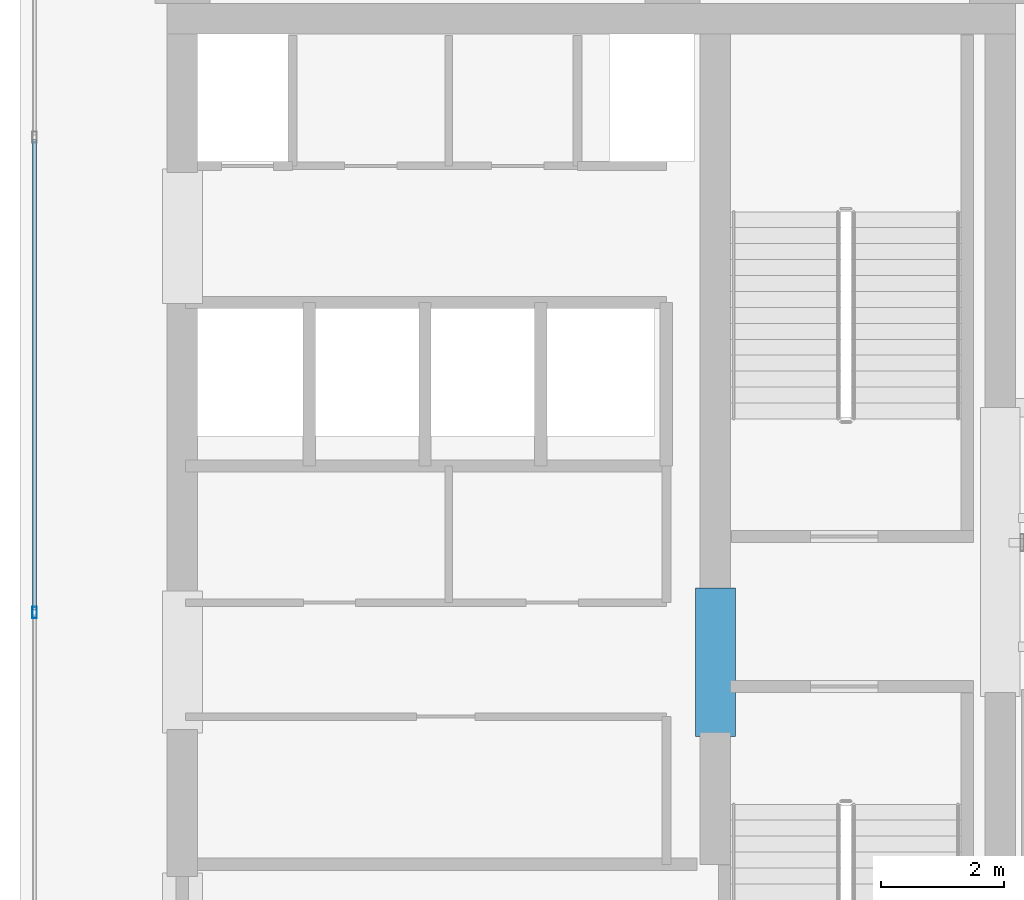
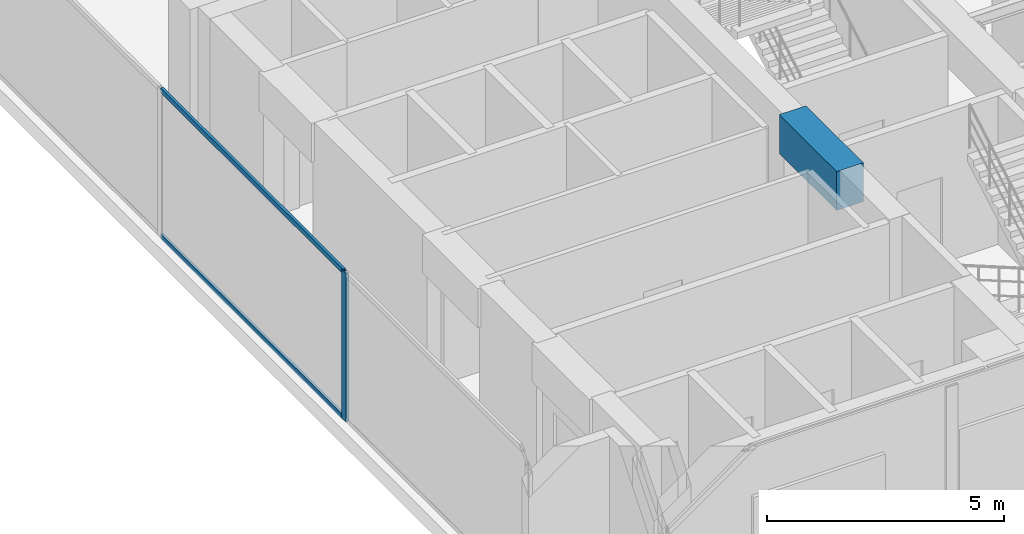
# One storey, part 4 of 24: 3 members, 1 beam, 1 element without a shape of its own.
"""IFC4 building model written with IfcOpenShell, lengths in metres."""

from ifc_helpers import new_model, si_unit, direction, frame, origin, origin_with_axes, origin_2d, place, context, subcontext, project, spatial, rectangle, hollow_rectangle, extrude, source, transform, mapped, material, layer, layer_set, material_profile, profile_set, type_object, element, aggregate, save


model = new_model("IFC4")

# Units and contexts
model_context = context("Model", 3, precision=1e-05, world=origin(), true_north=direction((0.0, 1.0)))
body_context = subcontext(model_context, "Body", "Model", "MODEL_VIEW")
ifc_project = project(units=[si_unit("LENGTHUNIT", "METRE"), si_unit("AREAUNIT", "SQUARE_METRE"), si_unit("VOLUMEUNIT", "CUBIC_METRE"), si_unit("PLANEANGLEUNIT", "RADIAN"), si_unit("MASSUNIT", "GRAM", prefix="KILO")], contexts=[model_context])

# Site, building, storey
site_placement = place(None, origin())
site = spatial("IfcSite", under=ifc_project, at=site_placement, CompositionType="ELEMENT")
building_placement = place(site_placement, origin())
building = spatial("IfcBuilding", under=site, at=building_placement, Name="Kolvaren Waterfront Exchange", CompositionType="ELEMENT")
storey_placement = place(building_placement, frame((0.0, 0.0, 356.199951171875)))
storey = spatial("IfcBuildingStorey", under=building, at=storey_placement, Name="L91", CompositionType="ELEMENT", Elevation=356.199951171875)

# Beam
ifc_material_1 = material(Name="Concrete C60/75", Category="concrete")
ifc_material_profile_1 = material_profile(ifc_material_1, rectangle(XDim=0.64990234375, YDim=1.0, at=origin_2d()), Name="RC-CB-1000x650")
ifc_profile_set_1 = profile_set([ifc_material_profile_1], Name="Concrete C60/75")
beam_type = type_object("IfcBeamType", Name="STR-CB-1000", PredefinedType="SPANDREL", material=ifc_profile_set_1)
beam_placement = place(storey_placement, frame((16.14990234375, 12.0400390625, 3.320068359375), z_axis=(0.0, 1.0, 0.0), x_axis=(-1.0, 0.0, 0.0)))
element("IfcBeam", 1, at=beam_placement, inside=storey, type_object=beam_type, Name="L91 core coupling beam 6", PredefinedType="SPANDREL", context=body_context, shape_type="SweptSolid", body=[
    extrude(rectangle(XDim=0.64990234375, YDim=1.0, at=origin_2d()), origin(), (0.0, 0.0, 1.0), 2.419921875),
])

# Curtain wall, members
ifc_material_2 = material(Name="Anodised dark bronze spandrel aluminium", Category="aluminium")
ifc_layer = layer(ifc_material_2, 0.219970703125, Name="Anodised dark bronze spandrel aluminium")
ifc_layer_set = layer_set([ifc_layer], Name="Anodised dark bronze spandrel aluminium")
curtain_wall_type = type_object("IfcCurtainWallType", Name="ARC-CW-SYS6", PredefinedType="USERDEFINED", material=ifc_layer_set)
curtain_wall_placement = place(storey_placement, origin())
curtain_wall = element("IfcCurtainWall", 2, at=curtain_wall_placement, inside=storey, type_object=curtain_wall_type, Name="L91 stick curtain wall CW6 (CW-L91-W)", ObjectType="STICK CURTAIN WALL", PredefinedType="USERDEFINED")
ifc_material_3 = material(Name="Anodised bronze aluminium 6063-T6", Category="aluminium")
ifc_material_profile_2 = material_profile(ifc_material_3, hollow_rectangle(XDim=0.074951171875, YDim=0.179931640625, WallThickness=0.00439453125, at=origin_2d()), Name="ALU-MUL-180x75x4.5")
ifc_profile_set_2 = profile_set([ifc_material_profile_2], Name="Anodised bronze aluminium 6063-T6")
member_type_1 = type_object("IfcMemberType", Name="ARC-CWM-180", PredefinedType="MULLION", material=ifc_profile_set_2)
shared_shape_1 = source(origin_with_axes(), body_context, "Body", "SweptSolid", [
    extrude(hollow_rectangle(XDim=0.074951171875, YDim=0.179931640625, WallThickness=0.00439453125, at=origin_2d()), origin(), (0.0, 0.0, 1.0), 3.820068359375),
])
member_1_placement = place(storey_placement, frame((5.0400390625, 14.06005859375, 0.0), z_axis=(0.0, 0.0, 1.0), x_axis=(-1.0, 0.0, 0.0)))
member_1 = element("IfcMember", 3, at=member_1_placement, type_object=member_type_1, Name="CW6 mullion 2", PredefinedType="MULLION", context=body_context, shape_type="MappedRepresentation", body=[
    mapped(shared_shape_1, transform((0.0, 0.0, 0.0), x_axis=(1.0, 0.0, 0.0), y_axis=(0.0, 1.0, 0.0), z_axis=(0.0, 0.0, 1.0), scale=1.0)),
])
ifc_material_profile_3 = material_profile(ifc_material_3, hollow_rectangle(XDim=0.06494140625, YDim=0.1298828125, WallThickness=0.00390625, at=origin_2d()), Name="ALU-TRN-130x65x4")
ifc_profile_set_3 = profile_set([ifc_material_profile_3], Name="Anodised bronze aluminium 6063-T6")
member_type_2 = type_object("IfcMemberType", Name="ARC-CWT-130", PredefinedType="USERDEFINED", material=ifc_profile_set_3)
shared_shape_2 = source(origin_with_axes(), body_context, "Body", "SweptSolid", [
    extrude(hollow_rectangle(XDim=0.06494140625, YDim=0.1298828125, WallThickness=0.00390625, at=origin_2d()), origin(), (0.0, 0.0, 1.0), 7.68505859375),
])
member_2_placement = place(storey_placement, frame((5.0400390625, 14.097412109375, 0.032470703125), z_axis=(0.0, 1.0, 0.0), x_axis=(-1.0, 0.0, 0.0)))
member_2 = element("IfcMember", 4, at=member_2_placement, type_object=member_type_2, Name="CW6 transom 2.1", ObjectType="TRANSOM", PredefinedType="USERDEFINED", context=body_context, shape_type="MappedRepresentation", body=[
    mapped(shared_shape_2, transform((0.0, 0.0, 0.0), x_axis=(1.0, 0.0, 0.0), y_axis=(0.0, 1.0, 0.0), z_axis=(0.0, 0.0, 1.0), scale=1.0)),
])
member_3_placement = place(storey_placement, frame((5.0400390625, 14.097412109375, 3.78759765625), z_axis=(0.0, 1.0, 0.0), x_axis=(-1.0, 0.0, 0.0)))
member_3 = element("IfcMember", 5, at=member_3_placement, type_object=member_type_2, Name="CW6 transom 2.2", ObjectType="TRANSOM", PredefinedType="USERDEFINED", context=body_context, shape_type="MappedRepresentation", body=[
    mapped(shared_shape_2, transform((0.0, 0.0, 0.0), x_axis=(1.0, 0.0, 0.0), y_axis=(0.0, 1.0, 0.0), z_axis=(0.0, 0.0, 1.0), scale=1.0)),
])
aggregate(curtain_wall, [member_1, member_2, member_3])

save(model, "model.ifc")
